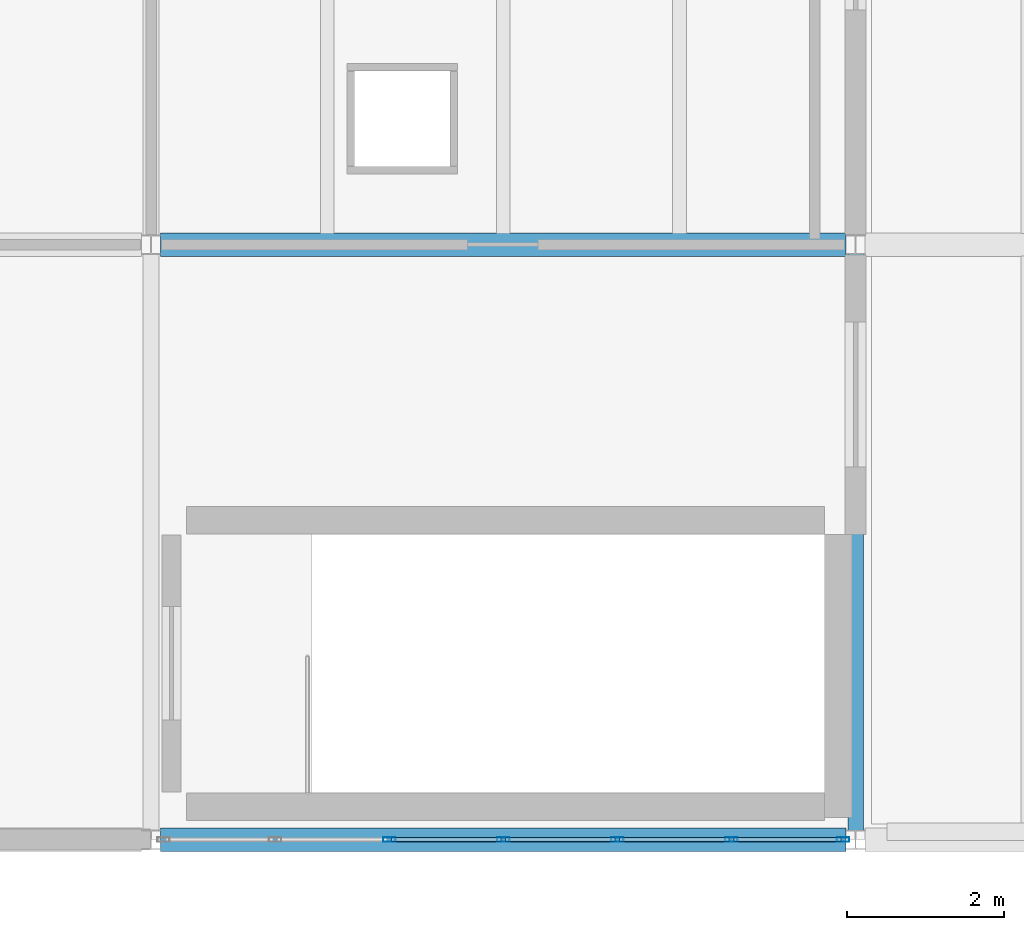
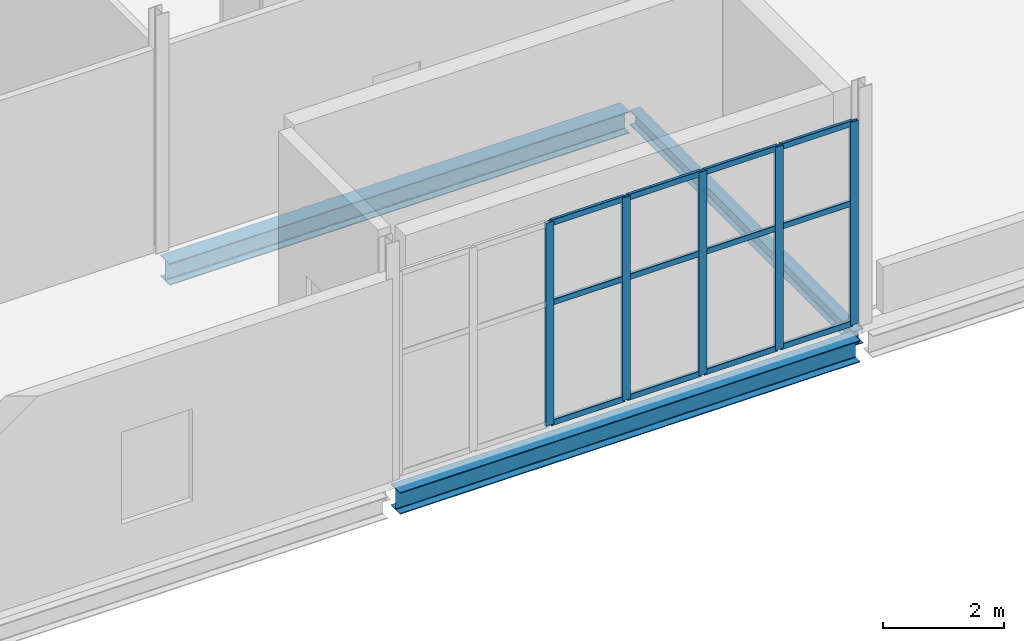
# One storey, part 7 of 14: 17 members, 3 beams, 1 element without a shape of its own.
"""IFC4 building model written with IfcOpenShell, lengths in metres."""

from ifc_helpers import new_model, si_unit, direction, frame, origin, origin_2d, place, context, subcontext, project, spatial, hollow_rectangle, i_section, extrude, material, material_profile, profile_set, type_object, element, aggregate, save


model = new_model("IFC4")

# Units and contexts
model_context = context("Model", 3, precision=1e-05, world=origin(), true_north=direction((0.0, 1.0)))
body_context = subcontext(model_context, "Body", "Model", "MODEL_VIEW")
ifc_project = project(units=[si_unit("LENGTHUNIT", "METRE"), si_unit("AREAUNIT", "SQUARE_METRE"), si_unit("VOLUMEUNIT", "CUBIC_METRE"), si_unit("PLANEANGLEUNIT", "RADIAN"), si_unit("MASSUNIT", "GRAM", prefix="KILO")], contexts=[model_context])

# Site, building, storey
site_placement = place(None, origin())
site = spatial("IfcSite", under=ifc_project, at=site_placement, CompositionType="ELEMENT")
building_placement = place(site_placement, origin())
building = spatial("IfcBuilding", under=site, at=building_placement, Name="Shengluoqiao Park Theatre", CompositionType="ELEMENT")
storey_placement = place(building_placement, frame((0.0, 0.0, 23.800048828125)))
storey = spatial("IfcBuildingStorey", under=building, at=storey_placement, Name="L05", CompositionType="ELEMENT", Elevation=23.800048828125)

# Curtain wall, members
ifc_material_1 = material(Name="Aluminium 6063-T6", Category="aluminium")
curtain_wall_type = type_object("IfcCurtainWallType", Name="ENV-CW-CLERE", PredefinedType="NOTDEFINED", material=ifc_material_1)
curtain_wall_placement = place(storey_placement, origin())
curtain_wall = element("IfcCurtainWall", 1, at=curtain_wall_placement, inside=storey, type_object=curtain_wall_type, Name="L05 Curtain Wall CWX-L05-0202", PredefinedType="NOTDEFINED")
ifc_material_profile_1 = material_profile(ifc_material_1, hollow_rectangle(XDim=0.06005859375, YDim=0.159912109375, WallThickness=0.00390625, InnerFilletRadius=0.00390625, OuterFilletRadius=0.008056640625, at=origin_2d()), Name="ALU MULLION 160x60x4")
ifc_profile_set_1 = profile_set([ifc_material_profile_1], Name="Aluminium 6063-T6")
member_type_1 = type_object("IfcMemberType", Name="ENV-MUL-160", PredefinedType="MULLION", material=ifc_profile_set_1)
member_1_placement = place(storey_placement, frame((142.443115234375, 84.0, 0.0), z_axis=(0.0, 0.0, 1.0), x_axis=(0.0, 1.0, 0.0)))
member_1 = element("IfcMember", 2, at=member_1_placement, type_object=member_type_1, Name="CW-06 mullion 3", PredefinedType="MULLION", context=body_context, shape_type="SweptSolid", body=[
    extrude(hollow_rectangle(XDim=0.06005859375, YDim=0.159912109375, WallThickness=0.00390625, InnerFilletRadius=0.00390625, OuterFilletRadius=0.008056640625, at=origin_2d()), origin(), (0.0, 0.0, 1.0), 4.087890625),
])
member_2_placement = place(storey_placement, frame((143.89990234375, 84.0, 0.0), z_axis=(0.0, 0.0, 1.0), x_axis=(0.0, 1.0, 0.0)))
member_2 = element("IfcMember", 3, at=member_2_placement, type_object=member_type_1, Name="CW-06 mullion 4", PredefinedType="MULLION", context=body_context, shape_type="SweptSolid", body=[
    extrude(hollow_rectangle(XDim=0.06005859375, YDim=0.159912109375, WallThickness=0.00390625, InnerFilletRadius=0.00390625, OuterFilletRadius=0.008056640625, at=origin_2d()), origin(), (0.0, 0.0, 1.0), 4.087890625),
])
member_3_placement = place(storey_placement, frame((145.35693359375, 84.0, 0.0), z_axis=(0.0, 0.0, 1.0), x_axis=(0.0, 1.0, 0.0)))
member_3 = element("IfcMember", 4, at=member_3_placement, type_object=member_type_1, Name="CW-06 mullion 5", PredefinedType="MULLION", context=body_context, shape_type="SweptSolid", body=[
    extrude(hollow_rectangle(XDim=0.06005859375, YDim=0.159912109375, WallThickness=0.00390625, InnerFilletRadius=0.00390625, OuterFilletRadius=0.008056640625, at=origin_2d()), origin(), (0.0, 0.0, 1.0), 4.087890625),
])
member_4_placement = place(storey_placement, frame((146.81396484375, 84.0, 0.0), z_axis=(0.0, 0.0, 1.0), x_axis=(0.0, 1.0, 0.0)))
member_4 = element("IfcMember", 5, at=member_4_placement, type_object=member_type_1, Name="CW-06 mullion 6", PredefinedType="MULLION", context=body_context, shape_type="SweptSolid", body=[
    extrude(hollow_rectangle(XDim=0.06005859375, YDim=0.159912109375, WallThickness=0.00390625, InnerFilletRadius=0.00390625, OuterFilletRadius=0.008056640625, at=origin_2d()), origin(), (0.0, 0.0, 1.0), 4.087890625),
])
member_5_placement = place(storey_placement, frame((148.240966796875, 84.0, 0.0), z_axis=(0.0, 0.0, 1.0), x_axis=(0.0, 1.0, 0.0)))
member_5 = element("IfcMember", 6, at=member_5_placement, type_object=member_type_1, Name="CW-06 mullion 7", PredefinedType="MULLION", context=body_context, shape_type="SweptSolid", body=[
    extrude(hollow_rectangle(XDim=0.06005859375, YDim=0.159912109375, WallThickness=0.00390625, InnerFilletRadius=0.00390625, OuterFilletRadius=0.008056640625, at=origin_2d()), origin(), (0.0, 0.0, 1.0), 4.087890625),
])
ifc_material_profile_2 = material_profile(ifc_material_1, hollow_rectangle(XDim=0.06005859375, YDim=0.1201171875, WallThickness=0.00390625, InnerFilletRadius=0.00390625, OuterFilletRadius=0.008056640625, at=origin_2d()), Name="ALU TRANSOM 120x60x4")
ifc_profile_set_2 = profile_set([ifc_material_profile_2], Name="Aluminium 6063-T6")
member_type_2 = type_object("IfcMemberType", Name="ENV-TRN-120", PredefinedType="USERDEFINED", material=ifc_profile_set_2)
member_6_placement = place(storey_placement, frame((142.472900390625, 84.0, 0.030029296875), z_axis=(1.0, 0.0, 0.0), x_axis=(0.0, 1.0, 0.0)))
member_6 = element("IfcMember", 7, at=member_6_placement, type_object=member_type_2, Name="CW-06 transom 3.1", ObjectType="TRANSOM", PredefinedType="USERDEFINED", context=body_context, shape_type="SweptSolid", body=[
    extrude(hollow_rectangle(XDim=0.06005859375, YDim=0.1201171875, WallThickness=0.00390625, InnerFilletRadius=0.00390625, OuterFilletRadius=0.008056640625, at=origin_2d()), origin(), (0.0, 0.0, 1.0), 1.397216796875),
])
member_7_placement = place(storey_placement, frame((142.472900390625, 84.0, 2.452880859375), z_axis=(1.0, 0.0, 0.0), x_axis=(0.0, 1.0, 0.0)))
member_7 = element("IfcMember", 8, at=member_7_placement, type_object=member_type_2, Name="CW-06 transom 3.2", ObjectType="TRANSOM", PredefinedType="USERDEFINED", context=body_context, shape_type="SweptSolid", body=[
    extrude(hollow_rectangle(XDim=0.06005859375, YDim=0.1201171875, WallThickness=0.00390625, InnerFilletRadius=0.00390625, OuterFilletRadius=0.008056640625, at=origin_2d()), origin(), (0.0, 0.0, 1.0), 1.397216796875),
])
member_8_placement = place(storey_placement, frame((142.472900390625, 84.0, 4.057861328125), z_axis=(1.0, 0.0, 0.0), x_axis=(0.0, 1.0, 0.0)))
member_8 = element("IfcMember", 9, at=member_8_placement, type_object=member_type_2, Name="CW-06 transom 3.3", ObjectType="TRANSOM", PredefinedType="USERDEFINED", context=body_context, shape_type="SweptSolid", body=[
    extrude(hollow_rectangle(XDim=0.06005859375, YDim=0.1201171875, WallThickness=0.00390625, InnerFilletRadius=0.00390625, OuterFilletRadius=0.008056640625, at=origin_2d()), origin(), (0.0, 0.0, 1.0), 1.397216796875),
])
member_9_placement = place(storey_placement, frame((143.929931640625, 84.0, 0.030029296875), z_axis=(1.0, 0.0, 0.0), x_axis=(0.0, 1.0, 0.0)))
member_9 = element("IfcMember", 10, at=member_9_placement, type_object=member_type_2, Name="CW-06 transom 4.1", ObjectType="TRANSOM", PredefinedType="USERDEFINED", context=body_context, shape_type="SweptSolid", body=[
    extrude(hollow_rectangle(XDim=0.06005859375, YDim=0.1201171875, WallThickness=0.00390625, InnerFilletRadius=0.00390625, OuterFilletRadius=0.008056640625, at=origin_2d()), origin(), (0.0, 0.0, 1.0), 1.39697265625),
])
member_10_placement = place(storey_placement, frame((143.929931640625, 84.0, 2.452880859375), z_axis=(1.0, 0.0, 0.0), x_axis=(0.0, 1.0, 0.0)))
member_10 = element("IfcMember", 11, at=member_10_placement, type_object=member_type_2, Name="CW-06 transom 4.2", ObjectType="TRANSOM", PredefinedType="USERDEFINED", context=body_context, shape_type="SweptSolid", body=[
    extrude(hollow_rectangle(XDim=0.06005859375, YDim=0.1201171875, WallThickness=0.00390625, InnerFilletRadius=0.00390625, OuterFilletRadius=0.008056640625, at=origin_2d()), origin(), (0.0, 0.0, 1.0), 1.39697265625),
])
member_11_placement = place(storey_placement, frame((143.929931640625, 84.0, 4.057861328125), z_axis=(1.0, 0.0, 0.0), x_axis=(0.0, 1.0, 0.0)))
member_11 = element("IfcMember", 12, at=member_11_placement, type_object=member_type_2, Name="CW-06 transom 4.3", ObjectType="TRANSOM", PredefinedType="USERDEFINED", context=body_context, shape_type="SweptSolid", body=[
    extrude(hollow_rectangle(XDim=0.06005859375, YDim=0.1201171875, WallThickness=0.00390625, InnerFilletRadius=0.00390625, OuterFilletRadius=0.008056640625, at=origin_2d()), origin(), (0.0, 0.0, 1.0), 1.39697265625),
])
member_12_placement = place(storey_placement, frame((145.386962890625, 84.0, 0.030029296875), z_axis=(1.0, 0.0, 0.0), x_axis=(0.0, 1.0, 0.0)))
member_12 = element("IfcMember", 13, at=member_12_placement, type_object=member_type_2, Name="CW-06 transom 5.1", ObjectType="TRANSOM", PredefinedType="USERDEFINED", context=body_context, shape_type="SweptSolid", body=[
    extrude(hollow_rectangle(XDim=0.06005859375, YDim=0.1201171875, WallThickness=0.00390625, InnerFilletRadius=0.00390625, OuterFilletRadius=0.008056640625, at=origin_2d()), origin(), (0.0, 0.0, 1.0), 1.39697265625),
])
member_13_placement = place(storey_placement, frame((145.386962890625, 84.0, 2.452880859375), z_axis=(1.0, 0.0, 0.0), x_axis=(0.0, 1.0, 0.0)))
member_13 = element("IfcMember", 14, at=member_13_placement, type_object=member_type_2, Name="CW-06 transom 5.2", ObjectType="TRANSOM", PredefinedType="USERDEFINED", context=body_context, shape_type="SweptSolid", body=[
    extrude(hollow_rectangle(XDim=0.06005859375, YDim=0.1201171875, WallThickness=0.00390625, InnerFilletRadius=0.00390625, OuterFilletRadius=0.008056640625, at=origin_2d()), origin(), (0.0, 0.0, 1.0), 1.39697265625),
])
member_14_placement = place(storey_placement, frame((145.386962890625, 84.0, 4.057861328125), z_axis=(1.0, 0.0, 0.0), x_axis=(0.0, 1.0, 0.0)))
member_14 = element("IfcMember", 15, at=member_14_placement, type_object=member_type_2, Name="CW-06 transom 5.3", ObjectType="TRANSOM", PredefinedType="USERDEFINED", context=body_context, shape_type="SweptSolid", body=[
    extrude(hollow_rectangle(XDim=0.06005859375, YDim=0.1201171875, WallThickness=0.00390625, InnerFilletRadius=0.00390625, OuterFilletRadius=0.008056640625, at=origin_2d()), origin(), (0.0, 0.0, 1.0), 1.39697265625),
])
member_15_placement = place(storey_placement, frame((146.843994140625, 84.0, 0.030029296875), z_axis=(1.0, 0.0, 0.0), x_axis=(0.0, 1.0, 0.0)))
member_15 = element("IfcMember", 16, at=member_15_placement, type_object=member_type_2, Name="CW-06 transom 6.1", ObjectType="TRANSOM", PredefinedType="USERDEFINED", context=body_context, shape_type="SweptSolid", body=[
    extrude(hollow_rectangle(XDim=0.06005859375, YDim=0.1201171875, WallThickness=0.00390625, InnerFilletRadius=0.00390625, OuterFilletRadius=0.008056640625, at=origin_2d()), origin(), (0.0, 0.0, 1.0), 1.366943359375),
])
member_16_placement = place(storey_placement, frame((146.843994140625, 84.0, 2.452880859375), z_axis=(1.0, 0.0, 0.0), x_axis=(0.0, 1.0, 0.0)))
member_16 = element("IfcMember", 17, at=member_16_placement, type_object=member_type_2, Name="CW-06 transom 6.2", ObjectType="TRANSOM", PredefinedType="USERDEFINED", context=body_context, shape_type="SweptSolid", body=[
    extrude(hollow_rectangle(XDim=0.06005859375, YDim=0.1201171875, WallThickness=0.00390625, InnerFilletRadius=0.00390625, OuterFilletRadius=0.008056640625, at=origin_2d()), origin(), (0.0, 0.0, 1.0), 1.366943359375),
])
member_17_placement = place(storey_placement, frame((146.843994140625, 84.0, 4.057861328125), z_axis=(1.0, 0.0, 0.0), x_axis=(0.0, 1.0, 0.0)))
member_17 = element("IfcMember", 18, at=member_17_placement, type_object=member_type_2, Name="CW-06 transom 6.3", ObjectType="TRANSOM", PredefinedType="USERDEFINED", context=body_context, shape_type="SweptSolid", body=[
    extrude(hollow_rectangle(XDim=0.06005859375, YDim=0.1201171875, WallThickness=0.00390625, InnerFilletRadius=0.00390625, OuterFilletRadius=0.008056640625, at=origin_2d()), origin(), (0.0, 0.0, 1.0), 1.366943359375),
])
aggregate(curtain_wall, [member_1, member_2, member_3, member_4, member_5, member_6, member_7, member_8, member_9, member_10, member_11, member_12, member_13, member_14, member_15, member_16, member_17])

# Beams
ifc_material_2 = material(Name="Steel Q355", Category="steel")
ifc_material_profile_3 = material_profile(ifc_material_2, i_section(OverallWidth=0.199951171875, OverallDepth=0.2939453125, WebThickness=0.008056640625, FlangeThickness=0.011962890625, FilletRadius=0.01611328125, at=origin_2d()), Name="HM 294x200x8x12")
ifc_profile_set_3 = profile_set([ifc_material_profile_3], Name="Steel Q355")
beam_type_1 = type_object("IfcBeamType", Name="STR-BM-G-HM294", PredefinedType="BEAM", material=ifc_profile_set_3)
beam_placement = place(storey_placement, frame((148.39990234375, 84.118896484375, -0.406982421875), z_axis=(0.0, 1.0, 0.0), x_axis=(-1.0, 0.0, 0.0)))
element("IfcBeam", 19, at=beam_placement, inside=storey, type_object=beam_type_1, Name="L05 Transverse Girder 01697", PredefinedType="BEAM", context=body_context, shape_type="SweptSolid", body=[
    extrude(i_section(OverallWidth=0.199951171875, OverallDepth=0.2939453125, WebThickness=0.008056640625, FlangeThickness=0.011962890625, FilletRadius=0.01611328125, at=origin_2d()), origin(), (0.0, 0.0, 1.0), 7.362060546875),
])
ifc_material_profile_4 = material_profile(ifc_material_2, i_section(OverallWidth=0.300048828125, OverallDepth=0.43994140625, WebThickness=0.010986328125, FlangeThickness=0.01806640625, FilletRadius=0.02001953125, at=origin_2d()), Name="HM 440x300x11x18")
ifc_profile_set_4 = profile_set([ifc_material_profile_4], Name="Steel Q355")
beam_type_2 = type_object("IfcBeamType", Name="STR-BM-G-HM440", PredefinedType="BEAM", material=ifc_profile_set_4)
for number, where, z_axis, x_axis, name in (
    (20, (139.521484375, 84.0, -0.47998046875), (1.0, 0.0, 0.0), (0.0, 1.0, 0.0), "L05 Primary Girder 01685"),
    (21, (139.521484375, 91.60009765625, -0.47998046875), (1.0, 0.0, 0.0), (0.0, 1.0, 0.0), "L05 Primary Girder 01687"),
):
    element("IfcBeam", number, at=place(storey_placement, frame(where, z_axis=z_axis, x_axis=x_axis)), inside=storey, type_object=beam_type_2, Name=name, PredefinedType="BEAM", context=body_context, shape_type="SweptSolid", body=[
        extrude(i_section(OverallWidth=0.300048828125, OverallDepth=0.43994140625, WebThickness=0.010986328125, FlangeThickness=0.01806640625, FilletRadius=0.02001953125, at=origin_2d()), origin(), (0.0, 0.0, 1.0), 8.757080078125),
    ])

save(model, "model.ifc")
